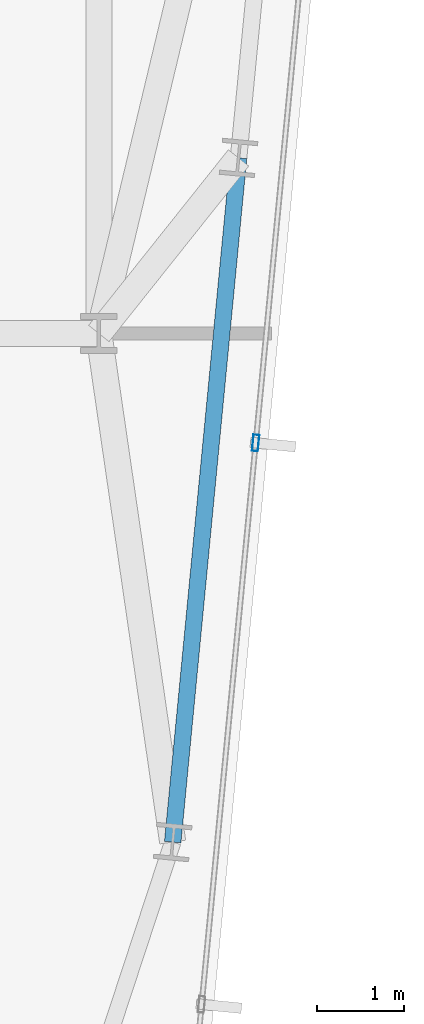
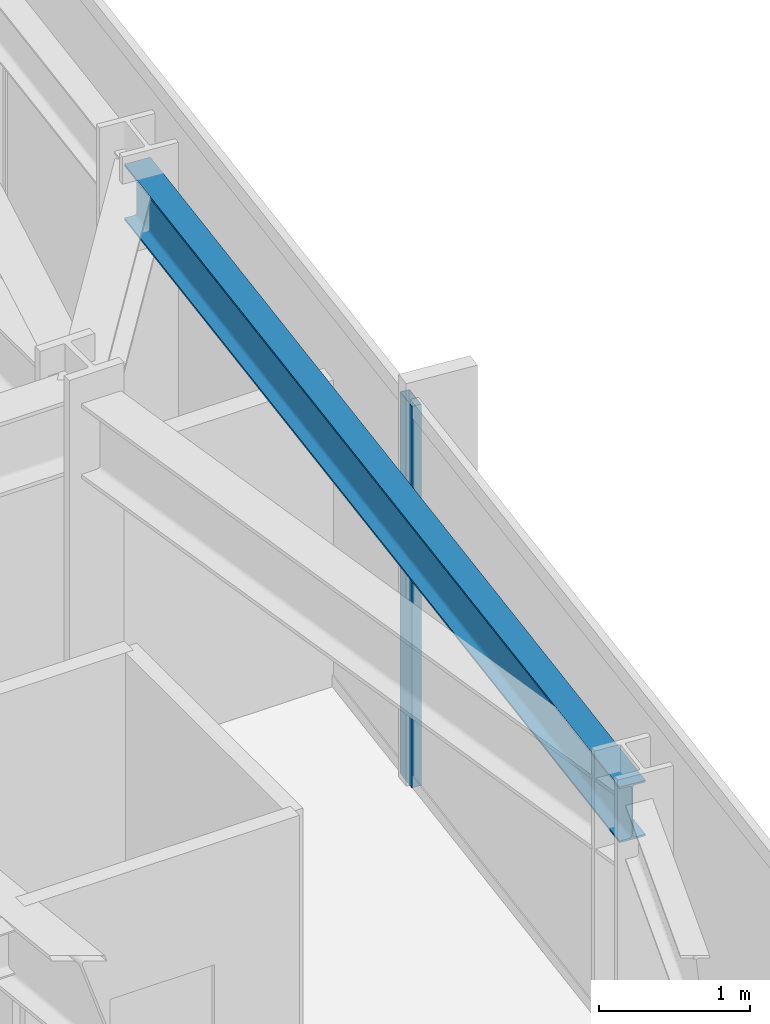
# One storey, part 16 of 37: 1 beam, 1 member, 1 element without a shape of its own.
"""IFC4 building model written with IfcOpenShell, lengths in metres."""

from ifc_helpers import new_model, si_unit, direction, frame, origin, origin_2d, place, context, subcontext, project, spatial, hollow_rectangle, i_section, extrude, material, material_profile, profile_set, type_object, element, aggregate, save


model = new_model("IFC4")

# Units and contexts
model_context = context("Model", 3, precision=1e-05, world=origin(), true_north=direction((0.0, 1.0)))
body_context = subcontext(model_context, "Body", "Model", "MODEL_VIEW")
ifc_project = project(units=[si_unit("LENGTHUNIT", "METRE"), si_unit("AREAUNIT", "SQUARE_METRE"), si_unit("VOLUMEUNIT", "CUBIC_METRE"), si_unit("PLANEANGLEUNIT", "RADIAN"), si_unit("MASSUNIT", "GRAM", prefix="KILO")], contexts=[model_context])

# Site, building, storey
site_placement = place(None, origin())
site = spatial("IfcSite", under=ifc_project, at=site_placement, CompositionType="ELEMENT")
building_placement = place(site_placement, origin())
building = spatial("IfcBuilding", under=site, at=building_placement, Name="Yelkora Congress Tower", CompositionType="ELEMENT")
storey_placement = place(building_placement, frame((0.0, 0.0, 162.199951171875)))
storey = spatial("IfcBuildingStorey", under=building, at=storey_placement, Name="L44", CompositionType="ELEMENT", Elevation=162.199951171875)

# Beam
ifc_material_1 = material(Name="Steel S355J2", Category="steel")
ifc_material_profile_1 = material_profile(ifc_material_1, i_section(OverallWidth=0.18994140625, OverallDepth=0.449951171875, WebThickness=0.009521484375, FlangeThickness=0.0146484375, FilletRadius=0.02099609375, at=origin_2d()), Name="IPE 450")
ifc_profile_set_1 = profile_set([ifc_material_profile_1], Name="Steel S355J2")
beam_type = type_object("IfcBeamType", Name="BM-SPAN-IPE450", PredefinedType="SPANDREL", material=ifc_profile_set_1)
beam_placement = place(storey_placement, frame((58.44921875, 19.353759765625, 2.85498046875), z_axis=(0.095831353931, 0.995397584689, 0.0), x_axis=(-0.995397584689, 0.095831353931, 0.0)))
element("IfcBeam", 1, at=beam_placement, inside=storey, type_object=beam_type, Name="L44 Perimeter Beam 10", PredefinedType="SPANDREL", context=body_context, shape_type="SweptSolid", body=[
    extrude(i_section(OverallWidth=0.18994140625, OverallDepth=0.449951171875, WebThickness=0.009521484375, FlangeThickness=0.0146484375, FilletRadius=0.02099609375, at=origin_2d()), origin(), (0.0, 0.0, 1.0), 7.900146484375),
])

# Curtain wall, member
ifc_material_2 = material(Name="Anodised aluminium and insulated glass", Category="aluminium")
curtain_wall_type = type_object("IfcCurtainWallType", Name="CW-SYS-B3", PredefinedType="NOTDEFINED", material=ifc_material_2)
curtain_wall_placement = place(storey_placement, origin())
curtain_wall = element("IfcCurtainWall", 2, at=curtain_wall_placement, inside=storey, type_object=curtain_wall_type, Name="L44 Unitised Curtain Wall 15", PredefinedType="NOTDEFINED")
ifc_material_3 = material(Name="Anodised aluminium 6063-T6", Category="aluminium")
ifc_material_profile_2 = material_profile(ifc_material_3, hollow_rectangle(XDim=0.070068359375, YDim=0.18994140625, WallThickness=0.00390625, at=origin_2d()), Name="ALU 70x190x4")
ifc_profile_set_2 = profile_set([ifc_material_profile_2], Name="Anodised aluminium 6063-T6")
member_type = type_object("IfcMemberType", Name="MEM-ML-B3", PredefinedType="MULLION", material=ifc_profile_set_2)
member_placement = place(storey_placement, frame((59.4033203125, 23.94140625, 0.0), z_axis=(0.0, 0.0, 1.0), x_axis=(0.995396565076, -0.095841944023, 0.0)))
member = element("IfcMember", 3, at=member_placement, type_object=member_type, Name="CW-B3 mullion 4", PredefinedType="MULLION", context=body_context, shape_type="SweptSolid", body=[
    extrude(hollow_rectangle(XDim=0.070068359375, YDim=0.18994140625, WallThickness=0.00390625, at=origin_2d()), origin(), (0.0, 0.0, 1.0), 3.080078125),
])
aggregate(curtain_wall, [member])

save(model, "model.ifc")
